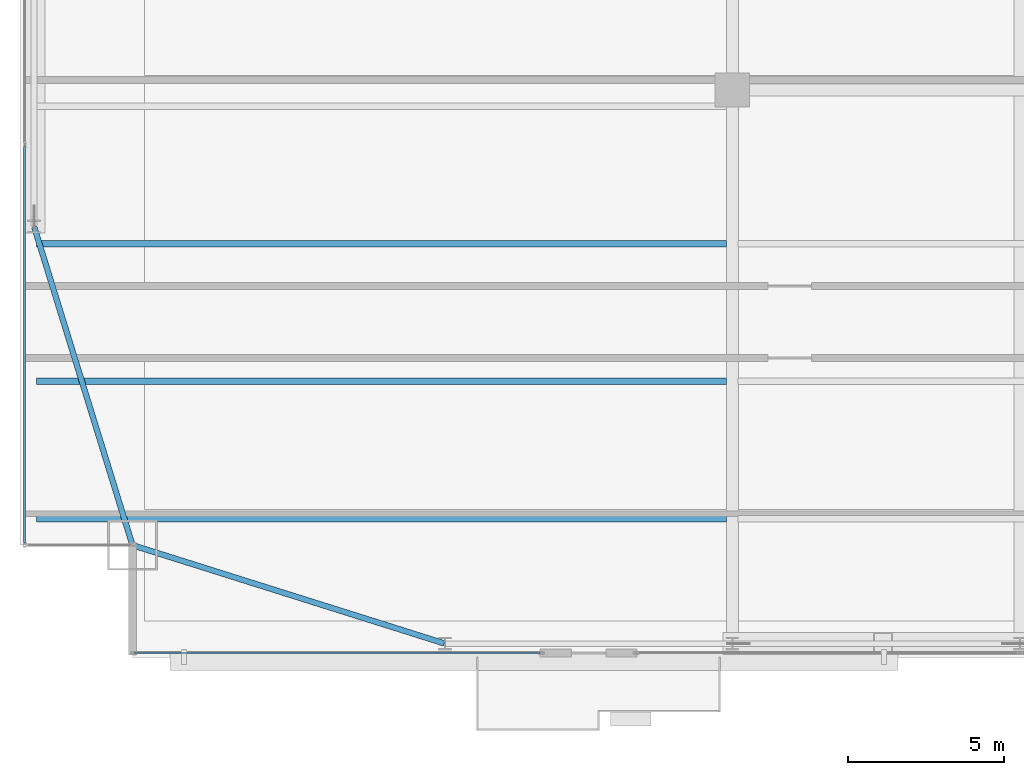
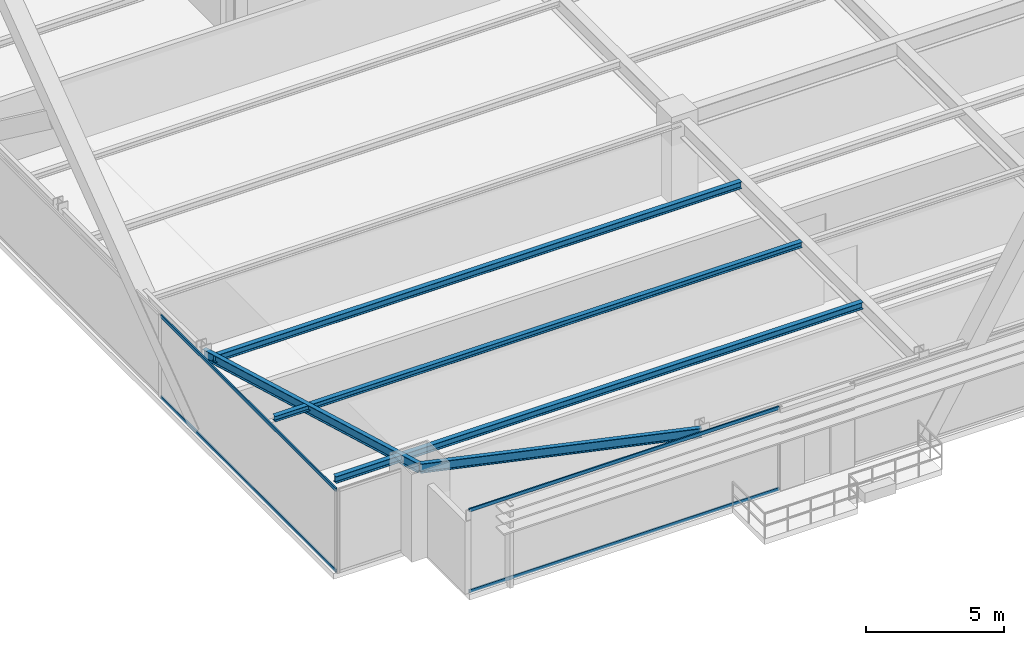
# One storey, part 4 of 32: 5 beams, 4 members, 2 elements without a shape of their own.
"""IFC4 building model written with IfcOpenShell, lengths in metres."""

from ifc_helpers import new_model, si_unit, direction, frame, origin, origin_2d, place, context, subcontext, project, spatial, hollow_rectangle, i_section, extrude, source, transform, mapped, material, layer, layer_set, material_profile, profile_set, type_object, type_shapes, element, aggregate, save


model = new_model("IFC4")

# Units and contexts
model_context = context("Model", 3, precision=1e-05, world=origin(), true_north=direction((0.0, 1.0)))
body_context = subcontext(model_context, "Body", "Model", "MODEL_VIEW")
ifc_project = project(units=[si_unit("LENGTHUNIT", "METRE"), si_unit("AREAUNIT", "SQUARE_METRE"), si_unit("VOLUMEUNIT", "CUBIC_METRE"), si_unit("PLANEANGLEUNIT", "RADIAN"), si_unit("MASSUNIT", "GRAM", prefix="KILO")], contexts=[model_context])

# Site, building, storey
site_placement = place(None, origin())
site = spatial("IfcSite", under=ifc_project, at=site_placement, CompositionType="ELEMENT")
building_placement = place(site_placement, origin())
building = spatial("IfcBuilding", under=site, at=building_placement, Name="Varnel Quay Broadcast Tower", CompositionType="ELEMENT")
storey_placement = place(building_placement, frame((0.0, 0.0, 43.199951171875)))
storey = spatial("IfcBuildingStorey", under=building, at=storey_placement, Name="L09", CompositionType="ELEMENT", Elevation=43.199951171875)

# Beams
ifc_material_1 = material(Name="Structural Steel CSA G40.21 350W", Category="steel")
ifc_material_profile_1 = material_profile(ifc_material_1, i_section(OverallWidth=0.180908203125, OverallDepth=0.4169921875, WebThickness=0.010986328125, FlangeThickness=0.018310546875, FilletRadius=0.011962890625, at=origin_2d()), Name="W410X85")
ifc_profile_set_1 = profile_set([ifc_material_profile_1], Name="Structural Steel CSA G40.21 350W")
beam_type_1 = type_object("IfcBeamType", Name="Beam_W410X85", PredefinedType="SPANDREL", material=ifc_profile_set_1)
shared_shape_1 = source(origin(), body_context, "Body", "SweptSolid", [
    extrude(i_section(OverallWidth=0.180908203125, OverallDepth=0.4169921875, WebThickness=0.010986328125, FlangeThickness=0.018310546875, FilletRadius=0.011962890625, at=origin_2d()), origin(), (0.0, 0.0, 1.0), 10.444091796875),
])
beam_1_placement = place(storey_placement, frame((5.619140625, 4.7939453125, 3.441650390625), z_axis=(0.953798277271, -0.300447743003, 0.0), x_axis=(0.300447743003, 0.953798277271, 0.0)))
element("IfcBeam", 1, at=beam_1_placement, inside=storey, type_object=beam_type_1, Name="L09 South Spandrel MC-SW-TC-S1", PredefinedType="SPANDREL", context=body_context, shape_type="MappedRepresentation", body=[
    mapped(shared_shape_1, transform((0.0, 0.0, 0.0), x_axis=(1.0, 0.0, 0.0), y_axis=(0.0, 1.0, 0.0), z_axis=(0.0, 0.0, 1.0), scale=1.0)),
])
shared_shape_2 = source(origin(), body_context, "Body", "SweptSolid", [
    extrude(i_section(OverallWidth=0.180908203125, OverallDepth=0.4169921875, WebThickness=0.010986328125, FlangeThickness=0.018310546875, FilletRadius=0.011962890625, at=origin_2d()), origin(), (0.0, 0.0, 1.0), 10.635498046875),
])
type_shapes(beam_type_1, [shared_shape_1, shared_shape_2])
beam_2_placement = place(storey_placement, frame((5.593994140625, 4.819091796875, 3.441650390625), z_axis=(-0.295069676324, 0.955475738108, 0.0), x_axis=(-0.955475738108, -0.295069676324, 0.0)))
element("IfcBeam", 2, at=beam_2_placement, inside=storey, type_object=beam_type_1, Name="L09 West Spandrel MC-SW-TC-W1", PredefinedType="SPANDREL", context=body_context, shape_type="MappedRepresentation", body=[
    mapped(shared_shape_2, transform((0.0, 0.0, 0.0), x_axis=(1.0, 0.0, 0.0), y_axis=(0.0, 1.0, 0.0), z_axis=(0.0, 0.0, 1.0), scale=1.0)),
])
ifc_material_profile_2 = material_profile(ifc_material_1, i_section(OverallWidth=0.202880859375, OverallDepth=0.302978515625, WebThickness=0.007568359375, FlangeThickness=0.01318359375, FilletRadius=0.011962890625, at=origin_2d()), Name="W310X60")
ifc_profile_set_2 = profile_set([ifc_material_profile_2], Name="Structural Steel CSA G40.21 350W")
beam_type_2 = type_object("IfcBeamType", Name="Beam_W310X60", PredefinedType="JOIST", material=ifc_profile_set_2)
shared_shape_3 = source(origin(), body_context, "Body", "SweptSolid", [
    extrude(i_section(OverallWidth=0.202880859375, OverallDepth=0.302978515625, WebThickness=0.007568359375, FlangeThickness=0.01318359375, FilletRadius=0.011962890625, at=origin_2d()), origin(), (0.0, 0.0, 1.0), 22.0791015625),
])
type_shapes(beam_type_2, [shared_shape_3])
for number, where, z_axis, x_axis, name in (
    (3, (2.535400390625, 5.64990234375, 3.49853515625), (1.0, 0.0, 0.0), (0.0, 1.0, 0.0), "L09 West Floor Joist 1"),
    (4, (2.535400390625, 14.449951171875, 3.49853515625), (1.0, 0.0, 0.0), (0.0, 1.0, 0.0), "L09 West Floor Joist 3"),
):
    element("IfcBeam", number, at=place(storey_placement, frame(where, z_axis=z_axis, x_axis=x_axis)), inside=storey, type_object=beam_type_2, Name=name, PredefinedType="JOIST", context=body_context, shape_type="MappedRepresentation", body=[
        mapped(shared_shape_3, transform((0.0, 0.0, 0.0), x_axis=(1.0, 0.0, 0.0), y_axis=(0.0, 1.0, 0.0), z_axis=(0.0, 0.0, 1.0), scale=1.0)),
    ])
ifc_material_profile_3 = material_profile(ifc_material_1, i_section(OverallWidth=0.201904296875, OverallDepth=0.2470703125, WebThickness=0.00732421875, FlangeThickness=0.010986328125, FilletRadius=0.010986328125, at=origin_2d()), Name="W250X49")
ifc_profile_set_3 = profile_set([ifc_material_profile_3], Name="Structural Steel CSA G40.21 350W")
beam_type_3 = type_object("IfcBeamType", Name="Beam_W250X49", PredefinedType="JOIST", material=ifc_profile_set_3)
shared_shape_4 = source(origin(), body_context, "Body", "SweptSolid", [
    extrude(i_section(OverallWidth=0.201904296875, OverallDepth=0.2470703125, WebThickness=0.00732421875, FlangeThickness=0.010986328125, FilletRadius=0.010986328125, at=origin_2d()), origin(), (0.0, 0.0, 1.0), 22.0791015625),
])
type_shapes(beam_type_3, [shared_shape_4])
beam_3_placement = place(storey_placement, frame((2.535400390625, 10.050048828125, 3.526611328125), z_axis=(1.0, 0.0, 0.0), x_axis=(0.0, 1.0, 0.0)))
element("IfcBeam", 5, at=beam_3_placement, inside=storey, type_object=beam_type_3, Name="L09 West Floor Joist 2", PredefinedType="JOIST", context=body_context, shape_type="MappedRepresentation", body=[
    mapped(shared_shape_4, transform((0.0, 0.0, 0.0), x_axis=(1.0, 0.0, 0.0), y_axis=(0.0, 1.0, 0.0), z_axis=(0.0, 0.0, 1.0), scale=1.0)),
])

# Curtain wall, members
ifc_material_2 = material(Name="Anodised Bronze Aluminium 6063-T6", Category="aluminium")
ifc_layer = layer(ifc_material_2, 0.18994140625, Name="Anodised Bronze Aluminium 6063-T6")
ifc_layer_set = layer_set([ifc_layer], Name="Anodised Bronze Aluminium 6063-T6")
curtain_wall_type = type_object("IfcCurtainWallType", Name="CW_LowerTower", PredefinedType="NOTDEFINED", material=ifc_layer_set)
curtain_wall_1_placement = place(storey_placement, origin())
curtain_wall_1 = element("IfcCurtainWall", 6, at=curtain_wall_1_placement, inside=storey, type_object=curtain_wall_type, Name="L09 South Unitised Curtain Wall 1", PredefinedType="NOTDEFINED")
ifc_material_profile_4 = material_profile(ifc_material_2, hollow_rectangle(XDim=0.06005859375, YDim=0.14501953125, WallThickness=0.00341796875, at=origin_2d()), Name="ALU60X145X3.5")
ifc_profile_set_4 = profile_set([ifc_material_profile_4], Name="Anodised Bronze Aluminium 6063-T6")
member_type = type_object("IfcMemberType", Name="Tran_CWS-02", PredefinedType="USERDEFINED", material=ifc_profile_set_4)
shared_shape_5 = source(origin(), body_context, "Body", "SweptSolid", [
    extrude(hollow_rectangle(XDim=0.06005859375, YDim=0.14501953125, WallThickness=0.00341796875, at=origin_2d()), origin(), (0.0, 0.0, 1.0), 12.97998046875),
])
member_1_placement = place(storey_placement, frame((5.669921875, 1.35009765625, 0.030029296875), z_axis=(1.0, 0.0, 0.0), x_axis=(0.0, 1.0, 0.0)))
member_1 = element("IfcMember", 7, at=member_1_placement, type_object=member_type, Name="CWS-02 transom 1.1", ObjectType="TRANSOM", PredefinedType="USERDEFINED", context=body_context, shape_type="MappedRepresentation", body=[
    mapped(shared_shape_5, transform((0.0, 0.0, 0.0), x_axis=(1.0, 0.0, 0.0), y_axis=(0.0, 1.0, 0.0), z_axis=(0.0, 0.0, 1.0), scale=1.0)),
])
member_2_placement = place(storey_placement, frame((5.669921875, 1.35009765625, 3.6201171875), z_axis=(1.0, 0.0, 0.0), x_axis=(0.0, 1.0, 0.0)))
member_2 = element("IfcMember", 8, at=member_2_placement, type_object=member_type, Name="CWS-02 transom 1.2", ObjectType="TRANSOM", PredefinedType="USERDEFINED", context=body_context, shape_type="MappedRepresentation", body=[
    mapped(shared_shape_5, transform((0.0, 0.0, 0.0), x_axis=(1.0, 0.0, 0.0), y_axis=(0.0, 1.0, 0.0), z_axis=(0.0, 0.0, 1.0), scale=1.0)),
])
aggregate(curtain_wall_1, [member_1, member_2])

curtain_wall_2_placement = place(storey_placement, origin())
curtain_wall_2 = element("IfcCurtainWall", 9, at=curtain_wall_2_placement, inside=storey, type_object=curtain_wall_type, Name="L09 West Unitised Curtain Wall", PredefinedType="NOTDEFINED")
shared_shape_6 = source(origin(), body_context, "Body", "SweptSolid", [
    extrude(hollow_rectangle(XDim=0.06005859375, YDim=0.14501953125, WallThickness=0.00341796875, at=origin_2d()), origin(), (0.0, 0.0, 1.0), 12.69482421875),
])
type_shapes(member_type, [shared_shape_5, shared_shape_6])
member_3_placement = place(storey_placement, frame((2.14990234375, 4.8701171875, 0.030029296875), z_axis=(0.0, 1.0, 0.0), x_axis=(-1.0, 0.0, 0.0)))
member_3 = element("IfcMember", 10, at=member_3_placement, type_object=member_type, Name="CWS-02 transom 1.1", ObjectType="TRANSOM", PredefinedType="USERDEFINED", context=body_context, shape_type="MappedRepresentation", body=[
    mapped(shared_shape_6, transform((0.0, 0.0, 0.0), x_axis=(1.0, 0.0, 0.0), y_axis=(0.0, 1.0, 0.0), z_axis=(0.0, 0.0, 1.0), scale=1.0)),
])
member_4_placement = place(storey_placement, frame((2.14990234375, 4.8701171875, 3.6201171875), z_axis=(0.0, 1.0, 0.0), x_axis=(-1.0, 0.0, 0.0)))
member_4 = element("IfcMember", 11, at=member_4_placement, type_object=member_type, Name="CWS-02 transom 1.2", ObjectType="TRANSOM", PredefinedType="USERDEFINED", context=body_context, shape_type="MappedRepresentation", body=[
    mapped(shared_shape_6, transform((0.0, 0.0, 0.0), x_axis=(1.0, 0.0, 0.0), y_axis=(0.0, 1.0, 0.0), z_axis=(0.0, 0.0, 1.0), scale=1.0)),
])
aggregate(curtain_wall_2, [member_3, member_4])

save(model, "model.ifc")
